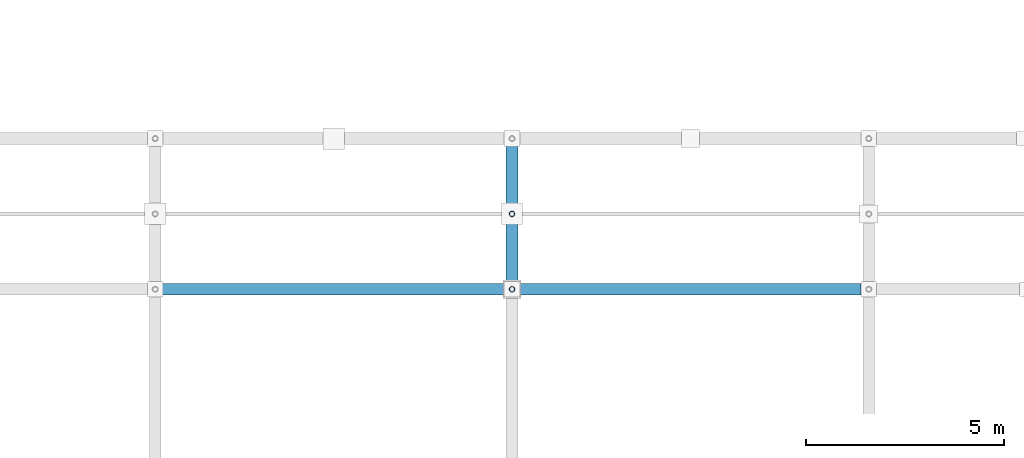
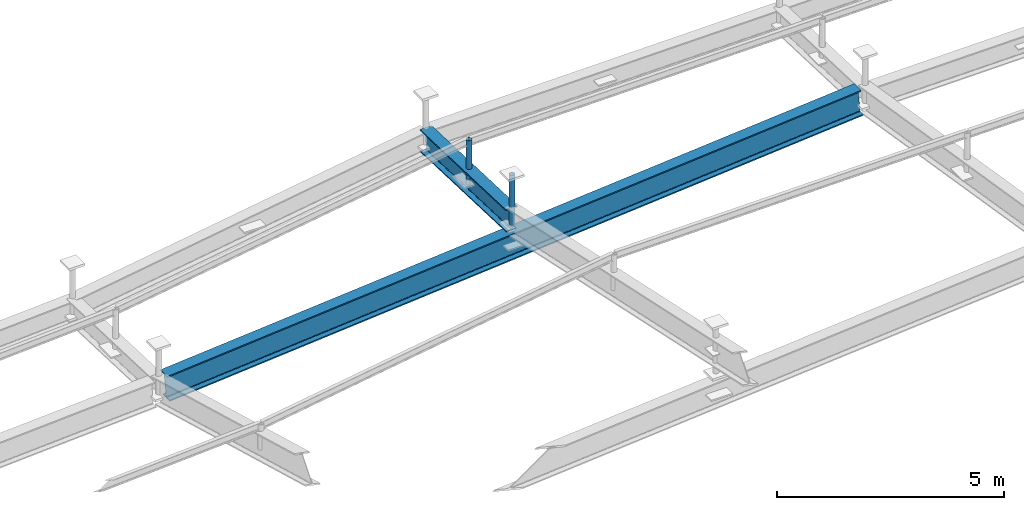
# One storey, part 50 of 80: 2 beams, 2 members.
"""IFC4 building model written with IfcOpenShell, lengths in metres."""

from ifc_helpers import new_model, si_unit, direction, frame, origin, origin_2d, place, context, subcontext, project, spatial, hollow_circle, i_section, extrude, material, material_profile, profile_set, type_object, element, save


model = new_model("IFC4")

# Units and contexts
model_context = context("Model", 3, precision=1e-05, world=origin(), true_north=direction((0.0, 1.0)))
body_context = subcontext(model_context, "Body", "Model", "MODEL_VIEW")
ifc_project = project(units=[si_unit("LENGTHUNIT", "METRE"), si_unit("AREAUNIT", "SQUARE_METRE"), si_unit("VOLUMEUNIT", "CUBIC_METRE"), si_unit("PLANEANGLEUNIT", "RADIAN"), si_unit("MASSUNIT", "GRAM", prefix="KILO")], contexts=[model_context])

# Site, building, storey
site_placement = place(None, origin())
site = spatial("IfcSite", under=ifc_project, at=site_placement, CompositionType="ELEMENT")
building_placement = place(site_placement, origin())
building = spatial("IfcBuilding", under=site, at=building_placement, Name="Barlavento Convention Centre", CompositionType="ELEMENT")
storey_placement = place(building_placement, frame((0.0, 0.0, 29.800048828125)))
storey = spatial("IfcBuildingStorey", under=building, at=storey_placement, Name="RF", CompositionType="ELEMENT", Elevation=29.800048828125)

# Beams
ifc_material_1 = material(Name="Steel S355", Category="steel")
ifc_material_profile_1 = material_profile(ifc_material_1, i_section(OverallWidth=0.300048828125, OverallDepth=0.60009765625, WebThickness=0.015380859375, FlangeThickness=0.030029296875, FilletRadius=0.027099609375, at=origin_2d()), Name="HEB 600")
ifc_profile_set_1 = profile_set([ifc_material_profile_1], Name="Steel S355")
beam_type_1 = type_object("IfcBeamType", Name="STR-BM-CANT-HEB600", PredefinedType="BEAM", material=ifc_profile_set_1)
beam_1_placement = place(storey_placement, frame((54.0, 54.0048828125, -4.904541015625), z_axis=(0.0, 0.999326599253, -0.036692615407), x_axis=(-1.0, 0.0, 0.0)))
element("IfcBeam", 1, at=beam_1_placement, inside=storey, type_object=beam_type_1, Name="Congress roof truss space frame chord", PredefinedType="BEAM", context=body_context, shape_type="SweptSolid", body=[
    extrude(i_section(OverallWidth=0.300048828125, OverallDepth=0.60009765625, WebThickness=0.015380859375, FlangeThickness=0.030029296875, FilletRadius=0.027099609375, at=origin_2d()), origin(), (0.0, 0.0, 1.0), 3.79248046875),
])
ifc_material_2 = material(Name="Steel S460", Category="steel")
ifc_material_profile_2 = material_profile(ifc_material_2, i_section(OverallWidth=0.300048828125, OverallDepth=0.699951171875, WebThickness=0.01708984375, FlangeThickness=0.031982421875, FilletRadius=0.027099609375, at=origin_2d()), Name="HEB 700")
ifc_profile_set_2 = profile_set([ifc_material_profile_2], Name="Steel S460")
beam_type_2 = type_object("IfcBeamType", Name="STR-BM-TRUSS-TOP-HEB700", PredefinedType="BEAM", material=ifc_profile_set_2)
beam_2_placement = place(storey_placement, frame((45.1650390625, 54.0, -6.293701171875), z_axis=(0.996333350603, 0.0, 0.085556148088), x_axis=(0.0, 1.0, 0.0)))
element("IfcBeam", 2, at=beam_2_placement, inside=storey, type_object=beam_type_2, Name="Congress roof truss space frame chord", PredefinedType="BEAM", context=body_context, shape_type="SweptSolid", body=[
    extrude(i_section(OverallWidth=0.300048828125, OverallDepth=0.699951171875, WebThickness=0.01708984375, FlangeThickness=0.031982421875, FilletRadius=0.027099609375, at=origin_2d()), origin(), (0.0, 0.0, 1.0), 17.73486328125),
])

# Members
ifc_material_profile_3 = material_profile(ifc_material_1, hollow_circle(Radius=0.06982421875, WallThickness=0.008056640625, at=origin_2d()), Name="CHS 139.7x8.0")
ifc_profile_set_3 = profile_set([ifc_material_profile_3], Name="Steel S355")
member_type = type_object("IfcMemberType", Name="STR-MEM-DIAG-CHS139", PredefinedType="BRACE", material=ifc_profile_set_3)
member_1_placement = place(storey_placement, frame((54.0, 54.0, -5.0546875), z_axis=(0.0, 0.0, 1.0), x_axis=(1.0, 0.0, 0.0)))
element("IfcMember", 3, at=member_1_placement, inside=storey, type_object=member_type, Name="Congress space frame vertical node post TD04", PredefinedType="BRACE", context=body_context, shape_type="SweptSolid", body=[
    extrude(hollow_circle(Radius=0.06982421875, WallThickness=0.008056640625, at=origin_2d()), origin(), (0.0, 0.0, 1.0), 1.3701171875),
])
member_2_placement = place(storey_placement, frame((54.0, 55.89990234375, -5.09423828125), z_axis=(0.0, 0.0, 1.0), x_axis=(1.0, 0.0, 0.0)))
element("IfcMember", 4, at=member_2_placement, inside=storey, type_object=member_type, Name="Congress space frame vertical node post TD04", PredefinedType="BRACE", context=body_context, shape_type="SweptSolid", body=[
    extrude(hollow_circle(Radius=0.06982421875, WallThickness=0.008056640625, at=origin_2d()), origin(), (0.0, 0.0, 1.0), 1.197021484375),
])

save(model, "model.ifc")
